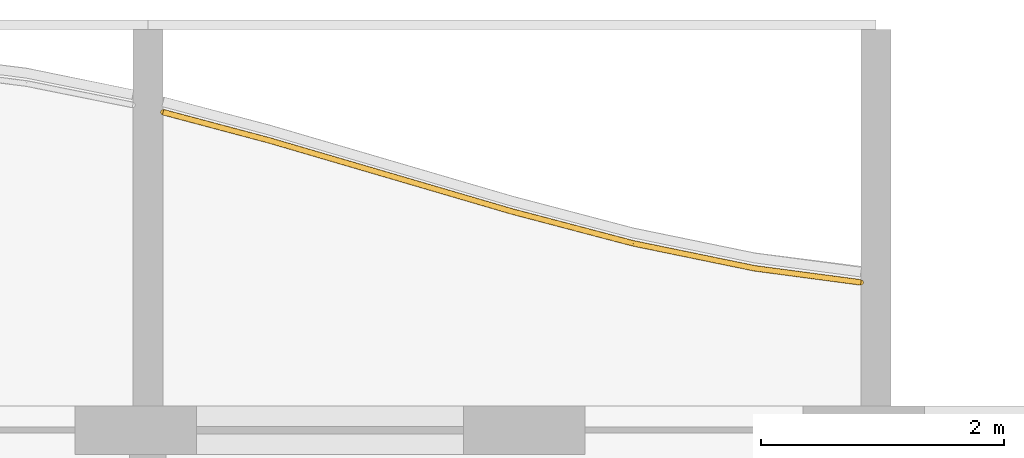
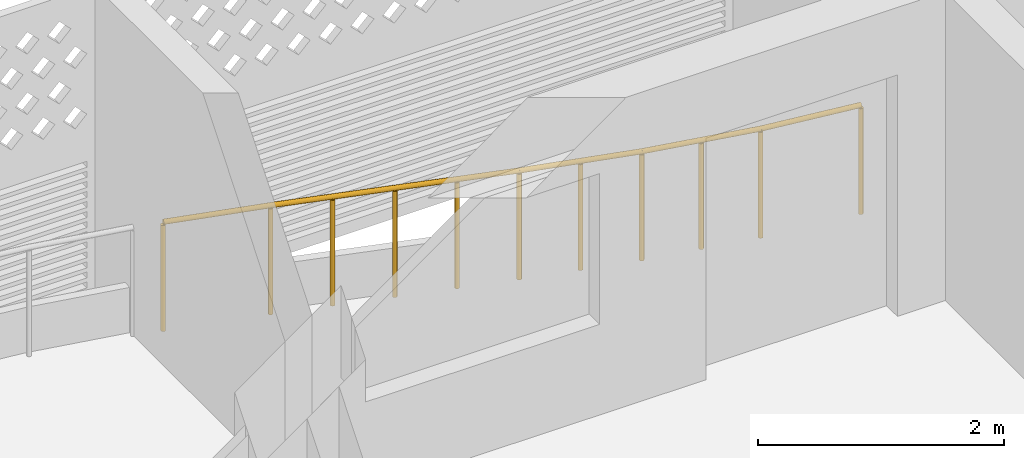
# One storey, part 18 of 31: 1 railing.
"""IFC4 building model written with IfcOpenShell, lengths in metres."""

from ifc_helpers import new_model, si_unit, direction, frame, origin, origin_2d, place, context, subcontext, project, spatial, circle, extrude, material, type_object, element, save


model = new_model("IFC4")

# Units and contexts
model_context = context("Model", 3, precision=1e-05, world=origin(), true_north=direction((0.0, 1.0)))
body_context = subcontext(model_context, "Body", "Model", "MODEL_VIEW")
ifc_project = project(units=[si_unit("LENGTHUNIT", "METRE"), si_unit("AREAUNIT", "SQUARE_METRE"), si_unit("VOLUMEUNIT", "CUBIC_METRE"), si_unit("PLANEANGLEUNIT", "RADIAN"), si_unit("MASSUNIT", "GRAM", prefix="KILO")], contexts=[model_context])

# Site, building, storey
site_placement = place(None, origin())
site = spatial("IfcSite", under=ifc_project, at=site_placement, CompositionType="ELEMENT")
building_placement = place(site_placement, origin())
building = spatial("IfcBuilding", under=site, at=building_placement, Name="Poui Terraces", CompositionType="ELEMENT")
storey_placement = place(building_placement, frame((0.0, 0.0, 142.199951171875)))
storey = spatial("IfcBuildingStorey", under=building, at=storey_placement, Name="L39", CompositionType="ELEMENT", Elevation=142.199951171875)

# Railing
ifc_material = material(Name="Painted steel fretwork", Category="steel")
railing_type = type_object("IfcRailingType", Name="BALCONY GUARD 1100", PredefinedType="GUARDRAIL", material=ifc_material)
railing_placement = place(storey_placement, frame((24.125, 45.0205078125, 0.0)))
element("IfcRailing", 1, at=railing_placement, inside=storey, type_object=railing_type, Name="BALCONY GUARD", PredefinedType="GUARDRAIL", context=body_context, shape_type="SweptSolid", body=[
    extrude(circle(Radius=0.02392578125, at=origin_2d()), frame((0.0, 0.0, 1.076171875), z_axis=(0.966418189442, -0.256974479503, 0.0), x_axis=(0.256974479503, 0.966418189442, 0.0)), (0.0, 0.0, 1.0), 0.905517578125),
    extrude(circle(Radius=0.02392578125, at=origin_2d()), frame((0.875, -0.232666015625, 1.076171875), z_axis=(0.959726621702, -0.280935600444, 0.0), x_axis=(0.280935600444, 0.959726621702, 0.0)), (0.0, 0.0, 1.0), 1.0419921875),
    extrude(circle(Radius=0.02392578125, at=origin_2d()), frame((1.875, -0.525390625, 1.076171875), z_axis=(0.959663427085, -0.281151394654, 0.0), x_axis=(0.281151394654, 0.959663427085, 0.0)), (0.0, 0.0, 1.0), 1.0419921875),
    extrude(circle(Radius=0.02392578125, at=origin_2d()), frame((2.875, -0.818359375, 1.076171875), z_axis=(0.967126511287, -0.25429571598, 0.0), x_axis=(0.25429571598, 0.967126511287, 0.0)), (0.0, 0.0, 1.0), 1.033935546875),
    extrude(circle(Radius=0.02392578125, at=origin_2d()), frame((3.875, -1.081298828125, 1.076171875), z_axis=(0.979518122884, -0.201356020378, 0.0), x_axis=(0.201356020378, 0.979518122884, 0.0)), (0.0, 0.0, 1.0), 1.02099609375),
    extrude(circle(Radius=0.02392578125, at=origin_2d()), frame((4.875, -1.286865234375, 1.076171875), z_axis=(0.991331470199, -0.131384611703, 0.0), x_axis=(0.131384611703, 0.991331470199, 0.0)), (0.0, 0.0, 1.0), 0.882568359375),
    extrude(circle(Radius=0.02099609375, at=origin_2d()), origin(), (0.0, 0.0, 1.0), 1.052001953125),
    extrude(circle(Radius=0.02099609375, at=origin_2d()), frame((0.875, -0.232666015625, 0.0)), (0.0, 0.0, 1.0), 1.052001953125),
    extrude(circle(Radius=0.02099609375, at=origin_2d()), frame((1.375, -0.37890625, 0.0)), (0.0, 0.0, 1.0), 1.052001953125),
    extrude(circle(Radius=0.02099609375, at=origin_2d()), frame((1.875, -0.525390625, 0.0)), (0.0, 0.0, 1.0), 1.052001953125),
    extrude(circle(Radius=0.02099609375, at=origin_2d()), frame((2.375, -0.671875, 0.0)), (0.0, 0.0, 1.0), 1.052001953125),
    extrude(circle(Radius=0.02099609375, at=origin_2d()), frame((2.875, -0.818359375, 0.0)), (0.0, 0.0, 1.0), 1.052001953125),
    extrude(circle(Radius=0.02099609375, at=origin_2d()), frame((3.375, -0.94970703125, 0.0)), (0.0, 0.0, 1.0), 1.052001953125),
    extrude(circle(Radius=0.02099609375, at=origin_2d()), frame((3.875, -1.081298828125, 0.0)), (0.0, 0.0, 1.0), 1.052001953125),
    extrude(circle(Radius=0.02099609375, at=origin_2d()), frame((4.375, -1.18408203125, 0.0)), (0.0, 0.0, 1.0), 1.052001953125),
    extrude(circle(Radius=0.02099609375, at=origin_2d()), frame((4.875, -1.286865234375, 0.0)), (0.0, 0.0, 1.0), 1.052001953125),
    extrude(circle(Radius=0.02099609375, at=origin_2d()), frame((5.75, -1.40283203125, 0.0)), (0.0, 0.0, 1.0), 1.052001953125),
])

save(model, "model.ifc")
